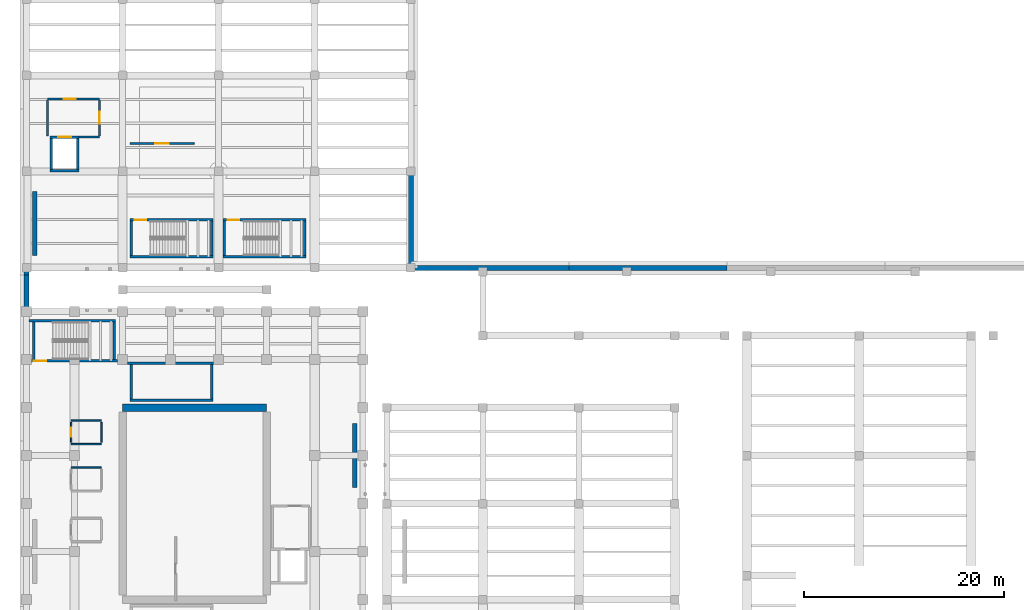
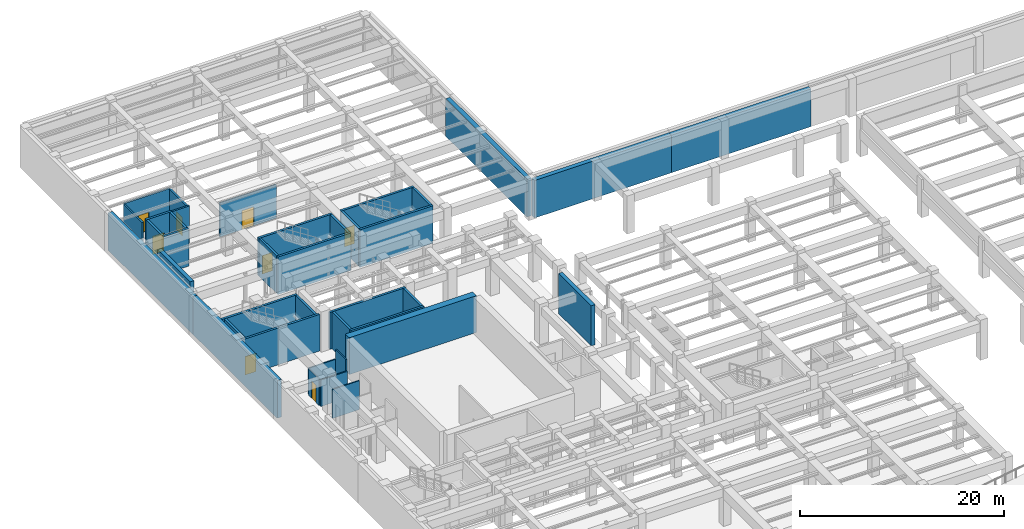
# One storey, part 27 of 45: 38 walls, 8 doors, 8 openings.
"""IFC4 building model written with IfcOpenShell, lengths in metres."""

from ifc_helpers import new_model, si_unit, direction, frame, frame_2d, origin, place, context, subcontext, project, spatial, rectangle, extrude, material, layer, layer_set, type_object, element, fill, save


model = new_model("IFC4")

# Units and contexts
model_context = context("Model", 3, precision=1e-05, world=origin(), true_north=direction((0.0, 1.0)))
body_context = subcontext(model_context, "Body", "Model", "MODEL_VIEW")
ifc_project = project(units=[si_unit("LENGTHUNIT", "METRE"), si_unit("AREAUNIT", "SQUARE_METRE"), si_unit("VOLUMEUNIT", "CUBIC_METRE"), si_unit("PLANEANGLEUNIT", "RADIAN"), si_unit("MASSUNIT", "GRAM", prefix="KILO")], contexts=[model_context])

# Site, building, storey
site_placement = place(None, origin())
site = spatial("IfcSite", under=ifc_project, at=site_placement, CompositionType="ELEMENT")
building_placement = place(site_placement, origin())
building = spatial("IfcBuilding", under=site, at=building_placement, Name="Mavantir Sound Aquarium", CompositionType="ELEMENT")
storey_placement = place(building_placement, frame((0.0, 0.0, -4.800048828125)))
storey = spatial("IfcBuildingStorey", under=building, at=storey_placement, Name="B1", CompositionType="ELEMENT", Elevation=-4.800048828125)

# Wall, opening, door
ifc_material_1 = material(Name="Concrete C40/50", Category="concrete")
ifc_layer_1 = layer(ifc_material_1, 0.199951171875, Name="Concrete C40/50")
ifc_layer_set_1 = layer_set([ifc_layer_1], Name="Concrete C40/50")
wall_type_1 = type_object("IfcWallType", Name="IW-FFL-200", PredefinedType="PARTITIONING", material=ifc_layer_set_1)
wall_1_placement = place(storey_placement, frame((2.10009765625, 100.449951171875, 0.0), z_axis=(0.0, 0.0, 1.0), x_axis=(1.0, 0.0, 0.0)))
wall_1 = element("IfcWall", 1, at=wall_1_placement, inside=storey, type_object=wall_type_1, Name="B1 firefighting lift lobby LC2 wall N", PredefinedType="PARTITIONING", context=body_context, shape_type="SweptSolid", body=[
    extrude(rectangle(XDim=5.199951171875, YDim=0.199951171875, at=frame_2d((2.60009765625, 0.0))), origin(), (0.0, 0.0, 1.0), 4.214111328125),
])
opening_1_placement = place(wall_1_placement, frame((1.60009765625, 0.0, 0.0)))
opening_1 = element("IfcOpeningElement", 2, at=opening_1_placement, cuts=wall_1, Name="Opening FD-01", PredefinedType="OPENING", context=body_context, shape_type="SweptSolid", body=[
    extrude(rectangle(XDim=1.199951171875, YDim=2.199951171875, at=frame_2d((0.60009765625, 1.10009765625))), frame((0.0, 0.10986328125, 0.0), z_axis=(0.0, -1.0, 0.0), x_axis=(1.0, 0.0, 0.0)), (0.0, 0.0, 1.0), 0.219970703125),
])
ifc_material_2 = material(Name="Fire-Rated Steel Lobby Door Leaf", Category="steel")
door_type_1 = type_object("IfcDoorType", Name="DR-FFL-120", OperationType="NOTDEFINED", PredefinedType="DOOR", material=ifc_material_2)
door_1_placement = place(opening_1_placement, origin())
door_1 = element("IfcDoor", 3, at=door_1_placement, inside=storey, type_object=door_type_1, Name="B1 firefighting lobby LC2 accommodation door", OperationType="SINGLE_SWING_LEFT", OverallHeight=2.199951171875, OverallWidth=1.199951171875, PredefinedType="DOOR", context=body_context, shape_type="SweptSolid", body=[
    extrude(rectangle(XDim=1.199951171875, YDim=2.199951171875, at=frame_2d((0.60009765625, 1.10009765625))), frame((0.0, 0.02490234375, 0.0), z_axis=(0.0, -1.0, 0.0), x_axis=(1.0, 0.0, 0.0)), (0.0, 0.0, 1.0), 0.050048828125),
])
fill(opening_1, door_1)

# Wall
wall_2_placement = place(storey_placement, frame((2.10009765625, 96.75, 0.0), z_axis=(0.0, 0.0, 1.0), x_axis=(0.0, 1.0, 0.0)))
element("IfcWall", 4, at=wall_2_placement, inside=storey, type_object=wall_type_1, Name="B1 firefighting lift lobby LC2 wall W", PredefinedType="PARTITIONING", context=body_context, shape_type="SweptSolid", body=[
    extrude(rectangle(XDim=3.60009765625, YDim=0.199951171875, at=frame_2d((1.800048828125, 0.0))), origin(), (0.0, 0.0, 1.0), 4.156005859375),
])

# Wall, opening, door
wall_3_placement = place(storey_placement, frame((7.300048828125, 96.75, 0.0), z_axis=(0.0, 0.0, 1.0), x_axis=(0.0, 1.0, 0.0)))
wall_3 = element("IfcWall", 5, at=wall_3_placement, inside=storey, type_object=wall_type_1, Name="B1 firefighting lift lobby LC2 wall E", PredefinedType="PARTITIONING", context=body_context, shape_type="SweptSolid", body=[
    extrude(rectangle(XDim=3.60009765625, YDim=0.199951171875, at=frame_2d((1.800048828125, 0.0))), origin(), (0.0, 0.0, 1.0), 4.156005859375),
])
opening_2_placement = place(wall_3_placement, frame((1.199951171875, 0.0, 0.0)))
opening_2 = element("IfcOpeningElement", 6, at=opening_2_placement, cuts=wall_3, Name="Opening FD-01", PredefinedType="OPENING", context=body_context, shape_type="SweptSolid", body=[
    extrude(rectangle(XDim=1.199951171875, YDim=2.199951171875, at=frame_2d((0.60009765625, 1.10009765625))), frame((0.0, 0.10986328125, 0.0), z_axis=(0.0, -1.0, 0.0), x_axis=(1.0, 0.0, 0.0)), (0.0, 0.0, 1.0), 0.219970703125),
])
door_2_placement = place(opening_2_placement, origin())
door_2 = element("IfcDoor", 7, at=door_2_placement, inside=storey, type_object=door_type_1, Name="B1 firefighting lobby LC2 stair-access door", OperationType="SINGLE_SWING_RIGHT", OverallHeight=2.199951171875, OverallWidth=1.199951171875, PredefinedType="DOOR", context=body_context, shape_type="SweptSolid", body=[
    extrude(rectangle(XDim=1.199951171875, YDim=2.199951171875, at=frame_2d((0.60009765625, 1.10009765625))), frame((0.0, 0.02490234375, 0.0), z_axis=(0.0, -1.0, 0.0), x_axis=(1.0, 0.0, 0.0)), (0.0, 0.0, 1.0), 0.050048828125),
])
fill(opening_2, door_2)

# Walls
wall_4_placement = place(storey_placement, frame((5.25, 96.625, 0.0), z_axis=(0.0, 0.0, 1.0), x_axis=(1.0, 0.0, 0.0)))
element("IfcWall", 8, at=wall_4_placement, inside=storey, type_object=wall_type_1, Name="B1 firefighting lift lobby LC2 return SE", PredefinedType="PARTITIONING", context=body_context, shape_type="SweptSolid", body=[
    extrude(rectangle(XDim=2.050048828125, YDim=0.199951171875, at=frame_2d((1.02490234375, 0.0))), origin(), (0.0, 0.0, 1.0), 4.43994140625),
])
ifc_material_3 = material(Name="Acoustic Metal-Stud Gypsum Partition", Category="gypsum")
ifc_layer_2 = layer(ifc_material_3, 0.1298828125, Name="Acoustic Metal-Stud Gypsum Partition")
ifc_layer_set_2 = layer_set([ifc_layer_2], Name="Acoustic Metal-Stud Gypsum Partition")
wall_type_2 = type_object("IfcWallType", Name="IW-PART-130", PredefinedType="PARTITIONING", material=ifc_layer_set_2)
wall_5_placement = place(storey_placement, frame((4.43994140625, 63.60009765625, 0.0), z_axis=(0.0, 0.0, 1.0), x_axis=(1.0, 0.0, 0.0)))
element("IfcWall", 9, at=wall_5_placement, inside=storey, type_object=wall_type_2, Name="B1 B1 Womens WC partition N", PredefinedType="PARTITIONING", context=body_context, shape_type="SweptSolid", body=[
    extrude(rectangle(XDim=3.0400390625, YDim=0.1298828125, at=frame_2d((1.52001953125, 0.0))), origin(), (0.0, 0.0, 1.0), 3.466064453125),
])
ifc_material_4 = material(Name="Moisture-Resistant Marine Gypsum Partition", Category="gypsum")
ifc_layer_3 = layer(ifc_material_4, 0.14990234375, Name="Moisture-Resistant Marine Gypsum Partition")
ifc_layer_set_3 = layer_set([ifc_layer_3], Name="Moisture-Resistant Marine Gypsum Partition")
wall_type_3 = type_object("IfcWallType", Name="IW-PART-150", PredefinedType="PARTITIONING", material=ifc_layer_set_3)
for number, where, z_axis, x_axis, name in (
    (10, (4.43994140625, 68.300048828125, 0.0), (0.0, 0.0, 1.0), (1.0, 0.0, 0.0), "B1 B1 Accessible WC partition N"),
    (11, (4.43994140625, 65.949951171875, 0.0), (0.0, 0.0, 1.0), (1.0, 0.0, 0.0), "B1 B1 Accessible WC partition S"),
):
    element("IfcWall", number, at=place(storey_placement, frame(where, z_axis=z_axis, x_axis=x_axis)), inside=storey, type_object=wall_type_3, Name=name, PredefinedType="PARTITIONING", context=body_context, shape_type="SweptSolid", body=[
        extrude(rectangle(XDim=3.0400390625, YDim=0.14990234375, at=frame_2d((1.52001953125, 0.0))), origin(), (0.0, 0.0, 1.0), 3.166015625),
    ])

# Wall, opening, door
wall_6_placement = place(storey_placement, frame((4.43994140625, 66.1298828125, 0.0), z_axis=(0.0, 0.0, 1.0), x_axis=(0.0, 1.0, 0.0)))
wall_6 = element("IfcWall", 12, at=wall_6_placement, inside=storey, type_object=wall_type_3, Name="B1 B1 Accessible WC partition W", PredefinedType="PARTITIONING", context=body_context, shape_type="SweptSolid", body=[
    extrude(rectangle(XDim=1.990234375, YDim=0.14990234375, at=frame_2d((0.9951171875, 0.0))), origin(), (0.0, 0.0, 1.0), 3.166015625),
])
opening_3_placement = place(wall_6_placement, frame((0.534912109375, 0.0, 0.0)))
opening_3 = element("IfcOpeningElement", 13, at=opening_3_placement, cuts=wall_6, Name="Opening ID-01", PredefinedType="OPENING", context=body_context, shape_type="SweptSolid", body=[
    extrude(rectangle(XDim=0.919921875, YDim=2.1201171875, at=frame_2d((0.4599609375, 1.06005859375))), frame((0.0, 0.0849609375, 0.0), z_axis=(0.0, -1.0, 0.0), x_axis=(1.0, 0.0, 0.0)), (0.0, 0.0, 1.0), 0.169921875),
])
ifc_material_5 = material(Name="Solid-Core Marine Hardwood and Vision-Panel Door", Category="wood")
door_type_2 = type_object("IfcDoorType", Name="DR-INT-01", OperationType="NOTDEFINED", PredefinedType="DOOR", material=ifc_material_5)
door_3_placement = place(opening_3_placement, origin())
door_3 = element("IfcDoor", 14, at=door_3_placement, inside=storey, type_object=door_type_2, Name="B1 Accessible WC entrance door", OperationType="SINGLE_SWING_RIGHT", OverallHeight=2.1201171875, OverallWidth=0.919921875, PredefinedType="DOOR", context=body_context, shape_type="SweptSolid", body=[
    extrude(rectangle(XDim=0.919921875, YDim=2.1201171875, at=frame_2d((0.4599609375, 1.06005859375))), frame((0.0, 0.02490234375, 0.0), z_axis=(0.0, -1.0, 0.0), x_axis=(1.0, 0.0, 0.0)), (0.0, 0.0, 1.0), 0.050048828125),
])
fill(opening_3, door_3)

# Wall
wall_7_placement = place(storey_placement, frame((7.47998046875, 66.1298828125, 0.0), z_axis=(0.0, 0.0, 1.0), x_axis=(0.0, 1.0, 0.0)))
element("IfcWall", 15, at=wall_7_placement, inside=storey, type_object=wall_type_3, Name="B1 B1 Accessible WC partition E", PredefinedType="PARTITIONING", context=body_context, shape_type="SweptSolid", body=[
    extrude(rectangle(XDim=1.990234375, YDim=0.14990234375, at=frame_2d((0.9951171875, 0.0))), origin(), (0.0, 0.0, 1.0), 4.43994140625),
])

# Wall, opening, door
ifc_layer_4 = layer(ifc_material_3, 0.159912109375, Name="Acoustic Metal-Stud Gypsum Partition")
ifc_layer_set_4 = layer_set([ifc_layer_4], Name="Acoustic Metal-Stud Gypsum Partition")
wall_type_4 = type_object("IfcWallType", Name="IW-PART-160", PredefinedType="PARTITIONING", material=ifc_layer_set_4)
wall_8_placement = place(storey_placement, frame((10.35009765625, 96.0, 0.0), z_axis=(0.0, 0.0, 1.0), x_axis=(1.0, 0.0, 0.0)))
wall_8 = element("IfcWall", 16, at=wall_8_placement, inside=storey, type_object=wall_type_4, Name="B1 Marine Research Wet Core and Seawater Lab Reserve entry partition", PredefinedType="PARTITIONING", context=body_context, shape_type="SweptSolid", body=[
    extrude(rectangle(XDim=6.39990234375, YDim=0.159912109375, at=frame_2d((3.199951171875, 0.0))), origin(), (0.0, 0.0, 1.0), 4.049072265625),
])
opening_4_placement = place(wall_8_placement, frame((2.530029296875, 0.0, 0.0)))
opening_4 = element("IfcOpeningElement", 17, at=opening_4_placement, cuts=wall_8, Name="Opening ID-11", PredefinedType="OPENING", context=body_context, shape_type="SweptSolid", body=[
    extrude(rectangle(XDim=1.340087890625, YDim=2.280029296875, at=frame_2d((0.669921875, 1.14013671875))), frame((0.0, 0.08984375, 0.0), z_axis=(0.0, -1.0, 0.0), x_axis=(1.0, 0.0, 0.0)), (0.0, 0.0, 1.0), 0.179931640625),
])
door_type_3 = type_object("IfcDoorType", Name="DR-INT-11", OperationType="NOTDEFINED", PredefinedType="DOOR", material=ifc_material_5)
door_4_placement = place(opening_4_placement, origin())
door_4 = element("IfcDoor", 18, at=door_4_placement, inside=storey, type_object=door_type_3, Name="Marine Research Wet Core and Seawater Lab Reserve door", OperationType="SINGLE_SWING_LEFT", OverallHeight=2.280029296875, OverallWidth=1.340087890625, PredefinedType="DOOR", context=body_context, shape_type="SweptSolid", body=[
    extrude(rectangle(XDim=1.340087890625, YDim=2.280029296875, at=frame_2d((0.669921875, 1.14013671875))), frame((0.0, 0.02490234375, 0.0), z_axis=(0.0, -1.0, 0.0), x_axis=(1.0, 0.0, 0.0)), (0.0, 0.0, 1.0), 0.050048828125),
])
fill(opening_4, door_4)

ifc_layer_5 = layer(ifc_material_1, 0.25, Name="Concrete C40/50")
ifc_layer_set_5 = layer_set([ifc_layer_5], Name="Concrete C40/50")
wall_type_5 = type_object("IfcWallType", Name="IW-SHAFT-250", PredefinedType="SHEAR", material=ifc_layer_set_5)
wall_9_placement = place(storey_placement, frame((0.25, 74.27490234375, 0.0), z_axis=(0.0, 0.0, 1.0), x_axis=(1.0, 0.0, 0.0)))
wall_9 = element("IfcWall", 19, at=wall_9_placement, inside=storey, type_object=wall_type_5, Name="B1 stair ST2 shaft wall S", PredefinedType="SHEAR", context=body_context, shape_type="SweptSolid", body=[
    extrude(rectangle(XDim=8.85009765625, YDim=0.25, at=frame_2d((4.425048828125, 0.0))), origin(), (0.0, 0.0, 1.0), 4.400146484375),
])
opening_5_placement = place(wall_9_placement, frame((1.699951171875, 0.0, 0.0), z_axis=(0.0, 0.0, 1.0), x_axis=(-1.0, 0.0, 0.0)))
opening_5 = element("IfcOpeningElement", 20, at=opening_5_placement, cuts=wall_9, Name="Opening SD-01", PredefinedType="OPENING", context=body_context, shape_type="SweptSolid", body=[
    extrude(rectangle(XDim=1.25, YDim=2.199951171875, at=frame_2d((0.625, 1.10009765625))), frame((0.0, 0.135009765625, 0.0), z_axis=(0.0, -1.0, 0.0), x_axis=(1.0, 0.0, 0.0)), (0.0, 0.0, 1.0), 0.27001953125),
])
ifc_material_6 = material(Name="Fire-Rated Steel Acoustic Door Leaf", Category="steel")
door_type_4 = type_object("IfcDoorType", Name="DR-ST-125", OperationType="NOTDEFINED", PredefinedType="DOOR", material=ifc_material_6)
door_5_placement = place(opening_5_placement, origin())
door_5 = element("IfcDoor", 21, at=door_5_placement, inside=storey, type_object=door_type_4, Name="B1 protected exit stair ST2 door", OperationType="SINGLE_SWING_RIGHT", OverallHeight=2.199951171875, OverallWidth=1.25, PredefinedType="DOOR", context=body_context, shape_type="SweptSolid", body=[
    extrude(rectangle(XDim=1.25, YDim=2.199951171875, at=frame_2d((0.625, 1.10009765625))), frame((0.0, 0.02490234375, 0.0), z_axis=(0.0, -1.0, 0.0), x_axis=(1.0, 0.0, 0.0)), (0.0, 0.0, 1.0), 0.050048828125),
])
fill(opening_5, door_5)

# Walls
wall_10_placement = place(storey_placement, frame((8.89990234375, 78.27490234375, 0.0), z_axis=(0.0, 0.0, 1.0), x_axis=(-1.0, 0.0, 0.0)))
element("IfcWall", 22, at=wall_10_placement, inside=storey, type_object=wall_type_5, Name="B1 stair ST2 shaft wall N", PredefinedType="SHEAR", context=body_context, shape_type="SweptSolid", body=[
    extrude(rectangle(XDim=8.64990234375, YDim=0.25, at=frame_2d((4.324951171875, 0.0))), origin(), (0.0, 0.0, 1.0), 4.400146484375),
])
for number, where, z_axis, x_axis, name in (
    (23, (0.72509765625, 78.14990234375, 0.0), (0.0, 0.0, 1.0), (0.0, -1.0, 0.0), "B1 stair ST2 shaft wall W"),
    (24, (8.77490234375, 74.39990234375, 0.0), (0.0, 0.0, 1.0), (0.0, 1.0, 0.0), "B1 stair ST2 shaft wall E"),
):
    element("IfcWall", number, at=place(storey_placement, frame(where, z_axis=z_axis, x_axis=x_axis)), inside=storey, type_object=wall_type_5, Name=name, PredefinedType="SHEAR", context=body_context, shape_type="SweptSolid", body=[
        extrude(rectangle(XDim=3.75, YDim=0.25, at=frame_2d((1.875, 0.0))), origin(), (0.0, 0.0, 1.0), 4.400146484375),
    ])
wall_11_placement = place(storey_placement, frame((10.35009765625, 70.324951171875, 0.0), z_axis=(0.0, 0.0, 1.0), x_axis=(1.0, 0.0, 0.0)))
element("IfcWall", 25, at=wall_11_placement, inside=storey, type_object=wall_type_5, Name="B1 stair ST10 shaft wall S", PredefinedType="SHEAR", context=body_context, shape_type="SweptSolid", body=[
    extrude(rectangle(XDim=8.2998046875, YDim=0.25, at=frame_2d((4.14990234375, 0.0))), origin(), (0.0, 0.0, 1.0), 4.400146484375),
])
wall_12_placement = place(storey_placement, frame((18.699951171875, 74.02490234375, 0.0), z_axis=(0.0, 0.0, 1.0), x_axis=(-1.0, 0.0, 0.0)))
element("IfcWall", 26, at=wall_12_placement, inside=storey, type_object=wall_type_5, Name="B1 stair ST10 shaft wall N", PredefinedType="SHEAR", context=body_context, shape_type="SweptSolid", body=[
    extrude(rectangle(XDim=8.599853515625, YDim=0.25, at=frame_2d((4.2998046875, 0.0))), origin(), (0.0, 0.0, 1.0), 4.400146484375),
])
for number, where, z_axis, x_axis, name in (
    (27, (10.47509765625, 73.89990234375, 0.0), (0.0, 0.0, 1.0), (0.0, -1.0, 0.0), "B1 stair ST10 shaft wall W"),
    (28, (18.52490234375, 70.449951171875, 0.0), (0.0, 0.0, 1.0), (0.0, 1.0, 0.0), "B1 stair ST10 shaft wall E"),
):
    element("IfcWall", number, at=place(storey_placement, frame(where, z_axis=z_axis, x_axis=x_axis)), inside=storey, type_object=wall_type_5, Name=name, PredefinedType="SHEAR", context=body_context, shape_type="SweptSolid", body=[
        extrude(rectangle(XDim=3.449951171875, YDim=0.25, at=frame_2d((1.72509765625, 0.0))), origin(), (0.0, 0.0, 1.0), 4.400146484375),
    ])
wall_13_placement = place(storey_placement, frame((10.35009765625, 84.675048828125, 0.0), z_axis=(0.0, 0.0, 1.0), x_axis=(1.0, 0.0, 0.0)))
element("IfcWall", 29, at=wall_13_placement, inside=storey, type_object=wall_type_5, Name="B1 stair ST5 shaft wall S", PredefinedType="SHEAR", context=body_context, shape_type="SweptSolid", body=[
    extrude(rectangle(XDim=8.2998046875, YDim=0.25, at=frame_2d((4.14990234375, 0.0))), origin(), (0.0, 0.0, 1.0), 4.5),
])

# Wall, opening, door
wall_14_placement = place(storey_placement, frame((18.64990234375, 88.375, 0.0), z_axis=(0.0, 0.0, 1.0), x_axis=(-1.0, 0.0, 0.0)))
wall_14 = element("IfcWall", 30, at=wall_14_placement, inside=storey, type_object=wall_type_5, Name="B1 stair ST5 shaft wall N", PredefinedType="SHEAR", context=body_context, shape_type="SweptSolid", body=[
    extrude(rectangle(XDim=8.2998046875, YDim=0.25, at=frame_2d((4.14990234375, 0.0))), origin(), (0.0, 0.0, 1.0), 4.5),
])
opening_6_placement = place(wall_14_placement, frame((7.849853515625, 0.0, 0.0), z_axis=(0.0, 0.0, 1.0), x_axis=(-1.0, 0.0, 0.0)))
opening_6 = element("IfcOpeningElement", 31, at=opening_6_placement, cuts=wall_14, Name="Opening SD-02", PredefinedType="OPENING", context=body_context, shape_type="SweptSolid", body=[
    extrude(rectangle(XDim=1.14990234375, YDim=2.199951171875, at=frame_2d((0.574951171875, 1.10009765625))), frame((0.0, 0.135009765625, 0.0), z_axis=(0.0, -1.0, 0.0), x_axis=(1.0, 0.0, 0.0)), (0.0, 0.0, 1.0), 0.27001953125),
])
door_type_5 = type_object("IfcDoorType", Name="DR-ST-115", OperationType="NOTDEFINED", PredefinedType="DOOR", material=ifc_material_6)
door_6_placement = place(opening_6_placement, origin())
door_6 = element("IfcDoor", 32, at=door_6_placement, inside=storey, type_object=door_type_5, Name="B1 protected exit stair ST5 door", OperationType="SINGLE_SWING_RIGHT", OverallHeight=2.199951171875, OverallWidth=1.14990234375, PredefinedType="DOOR", context=body_context, shape_type="SweptSolid", body=[
    extrude(rectangle(XDim=1.14990234375, YDim=2.199951171875, at=frame_2d((0.574951171875, 1.10009765625))), frame((0.0, 0.02490234375, 0.0), z_axis=(0.0, -1.0, 0.0), x_axis=(1.0, 0.0, 0.0)), (0.0, 0.0, 1.0), 0.050048828125),
])
fill(opening_6, door_6)

# Walls
for number, where, z_axis, x_axis, name in (
    (33, (10.47509765625, 88.25, 0.0), (0.0, 0.0, 1.0), (0.0, -1.0, 0.0), "B1 stair ST5 shaft wall W"),
    (34, (18.52490234375, 84.800048828125, 0.0), (0.0, 0.0, 1.0), (0.0, 1.0, 0.0), "B1 stair ST5 shaft wall E"),
):
    element("IfcWall", number, at=place(storey_placement, frame(where, z_axis=z_axis, x_axis=x_axis)), inside=storey, type_object=wall_type_5, Name=name, PredefinedType="SHEAR", context=body_context, shape_type="SweptSolid", body=[
        extrude(rectangle(XDim=3.449951171875, YDim=0.25, at=frame_2d((1.72509765625, 0.0))), origin(), (0.0, 0.0, 1.0), 4.5),
    ])
wall_15_placement = place(storey_placement, frame((19.64990234375, 84.675048828125, 0.0), z_axis=(0.0, 0.0, 1.0), x_axis=(1.0, 0.0, 0.0)))
element("IfcWall", 35, at=wall_15_placement, inside=storey, type_object=wall_type_5, Name="B1 stair ST7 shaft wall S", PredefinedType="SHEAR", context=body_context, shape_type="SweptSolid", body=[
    extrude(rectangle(XDim=8.300048828125, YDim=0.25, at=frame_2d((4.14990234375, 0.0))), origin(), (0.0, 0.0, 1.0), 4.5),
])

# Wall, opening, door
wall_16_placement = place(storey_placement, frame((27.949951171875, 88.375, 0.0), z_axis=(0.0, 0.0, 1.0), x_axis=(-1.0, 0.0, 0.0)))
wall_16 = element("IfcWall", 36, at=wall_16_placement, inside=storey, type_object=wall_type_5, Name="B1 stair ST7 shaft wall N", PredefinedType="SHEAR", context=body_context, shape_type="SweptSolid", body=[
    extrude(rectangle(XDim=8.300048828125, YDim=0.25, at=frame_2d((4.14990234375, 0.0))), origin(), (0.0, 0.0, 1.0), 4.5),
])
opening_7_placement = place(wall_16_placement, frame((7.849853515625, 0.0, 0.0), z_axis=(0.0, 0.0, 1.0), x_axis=(-1.0, 0.0, 0.0)))
opening_7 = element("IfcOpeningElement", 37, at=opening_7_placement, cuts=wall_16, Name="Opening SD-02", PredefinedType="OPENING", context=body_context, shape_type="SweptSolid", body=[
    extrude(rectangle(XDim=1.14990234375, YDim=2.199951171875, at=frame_2d((0.574951171875, 1.10009765625))), frame((0.0, 0.135009765625, 0.0), z_axis=(0.0, -1.0, 0.0), x_axis=(1.0, 0.0, 0.0)), (0.0, 0.0, 1.0), 0.27001953125),
])
door_7_placement = place(opening_7_placement, origin())
door_7 = element("IfcDoor", 38, at=door_7_placement, inside=storey, type_object=door_type_5, Name="B1 protected exit stair ST7 door", OperationType="SINGLE_SWING_RIGHT", OverallHeight=2.199951171875, OverallWidth=1.14990234375, PredefinedType="DOOR", context=body_context, shape_type="SweptSolid", body=[
    extrude(rectangle(XDim=1.14990234375, YDim=2.199951171875, at=frame_2d((0.574951171875, 1.10009765625))), frame((0.0, 0.02490234375, 0.0), z_axis=(0.0, -1.0, 0.0), x_axis=(1.0, 0.0, 0.0)), (0.0, 0.0, 1.0), 0.050048828125),
])
fill(opening_7, door_7)

# Walls
for number, where, z_axis, x_axis, name in (
    (39, (19.77490234375, 88.25, 0.0), (0.0, 0.0, 1.0), (0.0, -1.0, 0.0), "B1 stair ST7 shaft wall W"),
    (40, (27.824951171875, 84.800048828125, 0.0), (0.0, 0.0, 1.0), (0.0, 1.0, 0.0), "B1 stair ST7 shaft wall E"),
):
    element("IfcWall", number, at=place(storey_placement, frame(where, z_axis=z_axis, x_axis=x_axis)), inside=storey, type_object=wall_type_5, Name=name, PredefinedType="SHEAR", context=body_context, shape_type="SweptSolid", body=[
        extrude(rectangle(XDim=3.449951171875, YDim=0.25, at=frame_2d((1.72509765625, 0.0))), origin(), (0.0, 0.0, 1.0), 4.5),
    ])
wall_17_placement = place(storey_placement, frame((2.35009765625, 93.27490234375, 0.0), z_axis=(0.0, 0.0, 1.0), x_axis=(1.0, 0.0, 0.0)))
element("IfcWall", 41, at=wall_17_placement, inside=storey, type_object=wall_type_5, Name="B1 lift LC2 shaft wall S", PredefinedType="SHEAR", context=body_context, shape_type="SweptSolid", body=[
    extrude(rectangle(XDim=2.89990234375, YDim=0.25, at=frame_2d((1.449951171875, 0.0))), origin(), (0.0, 0.0, 1.0), 4.5),
])

# Wall, opening, door
wall_18_placement = place(storey_placement, frame((2.35009765625, 96.625, 0.0), z_axis=(0.0, 0.0, 1.0), x_axis=(1.0, 0.0, 0.0)))
wall_18 = element("IfcWall", 42, at=wall_18_placement, inside=storey, type_object=wall_type_5, Name="B1 lift LC2 shaft wall N", PredefinedType="SHEAR", context=body_context, shape_type="SweptSolid", body=[
    extrude(rectangle(XDim=2.89990234375, YDim=0.25, at=frame_2d((1.449951171875, 0.0))), origin(), (0.0, 0.0, 1.0), 4.5),
])
opening_8_placement = place(wall_18_placement, frame((0.800048828125, 0.0, 0.0)))
opening_8 = element("IfcOpeningElement", 43, at=opening_8_placement, cuts=wall_18, Name="Opening LD-01", PredefinedType="OPENING", context=body_context, shape_type="SweptSolid", body=[
    extrude(rectangle(XDim=1.300048828125, YDim=2.199951171875, at=frame_2d((0.64990234375, 1.10009765625))), frame((0.0, 0.135009765625, 0.0), z_axis=(0.0, -1.0, 0.0), x_axis=(1.0, 0.0, 0.0)), (0.0, 0.0, 1.0), 0.27001953125),
])
ifc_material_7 = material(Name="Stainless Steel 316 Sliding Lift Landing Door", Category="steel")
door_type_6 = type_object("IfcDoorType", Name="DR-LD-130", OperationType="NOTDEFINED", PredefinedType="DOOR", material=ifc_material_7)
door_8_placement = place(opening_8_placement, origin())
door_8 = element("IfcDoor", 44, at=door_8_placement, inside=storey, type_object=door_type_6, Name="Lift LC2 sliding landing door (B1)", OperationType="DOUBLE_DOOR_SLIDING", OverallHeight=2.199951171875, OverallWidth=1.300048828125, PredefinedType="DOOR", context=body_context, shape_type="SweptSolid", body=[
    extrude(rectangle(XDim=1.300048828125, YDim=2.199951171875, at=frame_2d((0.64990234375, 1.10009765625))), frame((0.0, 0.02490234375, 0.0), z_axis=(0.0, -1.0, 0.0), x_axis=(1.0, 0.0, 0.0)), (0.0, 0.0, 1.0), 0.050048828125),
])
fill(opening_8, door_8)

# Walls
for number, where, z_axis, x_axis, name in (
    (45, (2.47509765625, 93.39990234375, 0.0), (0.0, 0.0, 1.0), (0.0, 1.0, 0.0), "B1 lift LC2 shaft wall W"),
    (46, (5.125, 93.39990234375, 0.0), (0.0, 0.0, 1.0), (0.0, 1.0, 0.0), "B1 lift LC2 shaft wall E"),
):
    element("IfcWall", number, at=place(storey_placement, frame(where, z_axis=z_axis, x_axis=x_axis)), inside=storey, type_object=wall_type_5, Name=name, PredefinedType="SHEAR", context=body_context, shape_type="SweptSolid", body=[
        extrude(rectangle(XDim=3.10009765625, YDim=0.25, at=frame_2d((1.550048828125, 0.0))), origin(), (0.0, 0.0, 1.0), 4.5),
    ])
ifc_layer_6 = layer(ifc_material_1, 0.5, Name="Concrete C40/50")
ifc_layer_set_6 = layer_set([ifc_layer_6], Name="Concrete C40/50")
wall_type_6 = type_object("IfcWallType", Name="SW-RET-500", PredefinedType="USERDEFINED", material=ifc_layer_set_6)
wall_19_placement = place(storey_placement, frame((0.0, 66.285888671875, 0.0), z_axis=(0.0, 0.0, 1.0), x_axis=(0.0, 1.0, 0.0)))
element("IfcWall", 47, at=wall_19_placement, inside=storey, type_object=wall_type_6, Name="B1 perimeter plinth retaining wall 10", ObjectType="RETAINING WALL", PredefinedType="USERDEFINED", context=body_context, shape_type="SweptSolid", body=[
    extrude(rectangle(XDim=16.571044921875, YDim=0.5, at=frame_2d((8.28564453125, 0.0))), origin(), (0.0, 0.0, 1.0), 4.5),
])
wall_20_placement = place(storey_placement, frame((0.0, 82.85693359375, 0.0), z_axis=(0.0, 0.0, 1.0), x_axis=(0.0, 1.0, 0.0)))
element("IfcWall", 48, at=wall_20_placement, inside=storey, type_object=wall_type_6, Name="B1 perimeter plinth retaining wall 12", ObjectType="RETAINING WALL", PredefinedType="USERDEFINED", context=body_context, shape_type="SweptSolid", body=[
    extrude(rectangle(XDim=16.572021484375, YDim=0.5, at=frame_2d((8.2861328125, 0.0))), origin(), (0.0, 0.0, 1.0), 4.5),
])
wall_21_placement = place(storey_placement, frame((38.39990234375, 99.77490234375, 0.0), z_axis=(0.0, 0.0, 1.0), x_axis=(0.0, -1.0, 0.0)))
element("IfcWall", 49, at=wall_21_placement, inside=storey, type_object=wall_type_6, Name="B1 perimeter plinth retaining wall 22", ObjectType="RETAINING WALL", PredefinedType="USERDEFINED", context=body_context, shape_type="SweptSolid", body=[
    extrude(rectangle(XDim=15.94482421875, YDim=0.5, at=frame_2d((7.972412109375, 0.0))), origin(), (0.0, 0.0, 1.0), 4.5),
])
wall_22_placement = place(storey_placement, frame((38.679931640625, 83.550048828125, 0.0), z_axis=(0.0, 0.0, 1.0), x_axis=(1.0, 0.0, 0.0)))
element("IfcWall", 50, at=wall_22_placement, inside=storey, type_object=wall_type_6, Name="B1 perimeter plinth retaining wall 24", ObjectType="RETAINING WALL", PredefinedType="USERDEFINED", context=body_context, shape_type="SweptSolid", body=[
    extrude(rectangle(XDim=15.52001953125, YDim=0.5, at=frame_2d((7.760009765625, 0.0))), origin(), (0.0, 0.0, 1.0), 4.5),
])
wall_23_placement = place(storey_placement, frame((54.199951171875, 83.550048828125, 0.0), z_axis=(0.0, 0.0, 1.0), x_axis=(1.0, 0.0, 0.0)))
element("IfcWall", 51, at=wall_23_placement, inside=storey, type_object=wall_type_6, Name="B1 perimeter plinth retaining wall 26", ObjectType="RETAINING WALL", PredefinedType="USERDEFINED", context=body_context, shape_type="SweptSolid", body=[
    extrude(rectangle(XDim=15.800048828125, YDim=0.5, at=frame_2d((7.89990234375, 0.0))), origin(), (0.0, 0.0, 1.0), 4.5),
])
ifc_layer_7 = layer(ifc_material_1, 0.449951171875, Name="Concrete C40/50")
ifc_layer_set_7 = layer_set([ifc_layer_7], Name="Concrete C40/50")
wall_type_7 = type_object("IfcWallType", Name="SW-SHR-450", PredefinedType="SHEAR", material=ifc_layer_set_7)
for number, where, z_axis, x_axis, name in (
    (52, (32.800048828125, 61.60009765625, 0.0), (0.0, 0.0, 1.0), (0.0, 1.0, 0.0), "B1 special RC shear wall 8 (V1)"),
    (53, (0.800048828125, 84.800048828125, 0.0), (0.0, 0.0, 1.0), (0.0, 1.0, 0.0), "B1 special RC shear wall 31 (V5)"),
):
    element("IfcWall", number, at=place(storey_placement, frame(where, z_axis=z_axis, x_axis=x_axis)), inside=storey, type_object=wall_type_7, Name=name, PredefinedType="SHEAR", context=body_context, shape_type="SweptSolid", body=[
        extrude(rectangle(XDim=6.39990234375, YDim=0.449951171875, at=frame_2d((3.199951171875, 0.0))), origin(), (0.0, 0.0, 1.0), 4.800048828125),
    ])
ifc_material_8 = material(Name="Concrete C45/55", Category="concrete")
ifc_layer_8 = layer(ifc_material_8, 0.75, Name="Concrete C45/55")
ifc_layer_set_8 = layer_set([ifc_layer_8], Name="Concrete C45/55")
wall_type_8 = type_object("IfcWallType", Name="SW-TANK-750", PredefinedType="SOLIDWALL", material=ifc_layer_set_8)
wall_24_placement = place(storey_placement, frame((24.0, 69.60009765625, 0.0), z_axis=(0.0, 0.0, 1.0), x_axis=(-1.0, 0.0, 0.0)))
element("IfcWall", 54, at=wall_24_placement, inside=storey, type_object=wall_type_8, Name="B1 Pelagic Ocean Tank wall N", PredefinedType="SOLIDWALL", context=body_context, shape_type="SweptSolid", body=[
    extrude(rectangle(XDim=14.39990234375, YDim=0.75, at=frame_2d((7.199951171875, 0.0))), origin(), (0.0, 0.0, 1.0), 4.400146484375),
])

save(model, "model.ifc")
